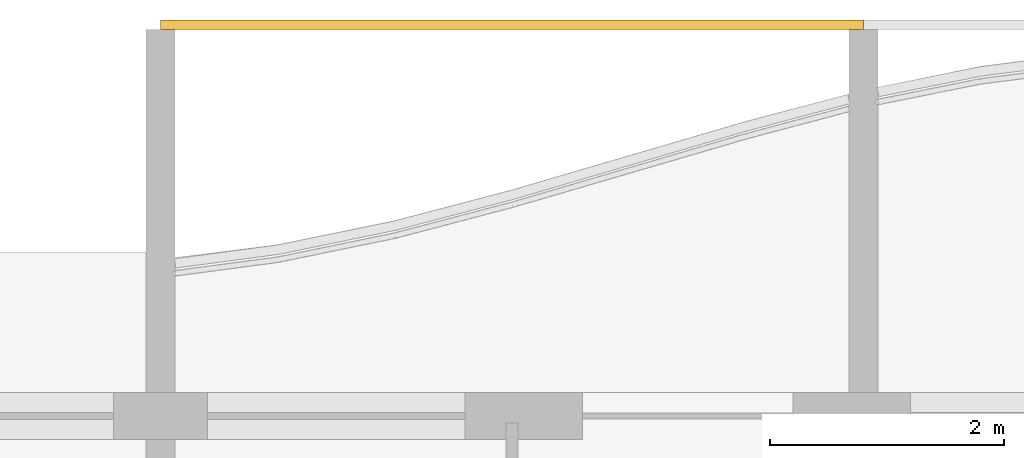
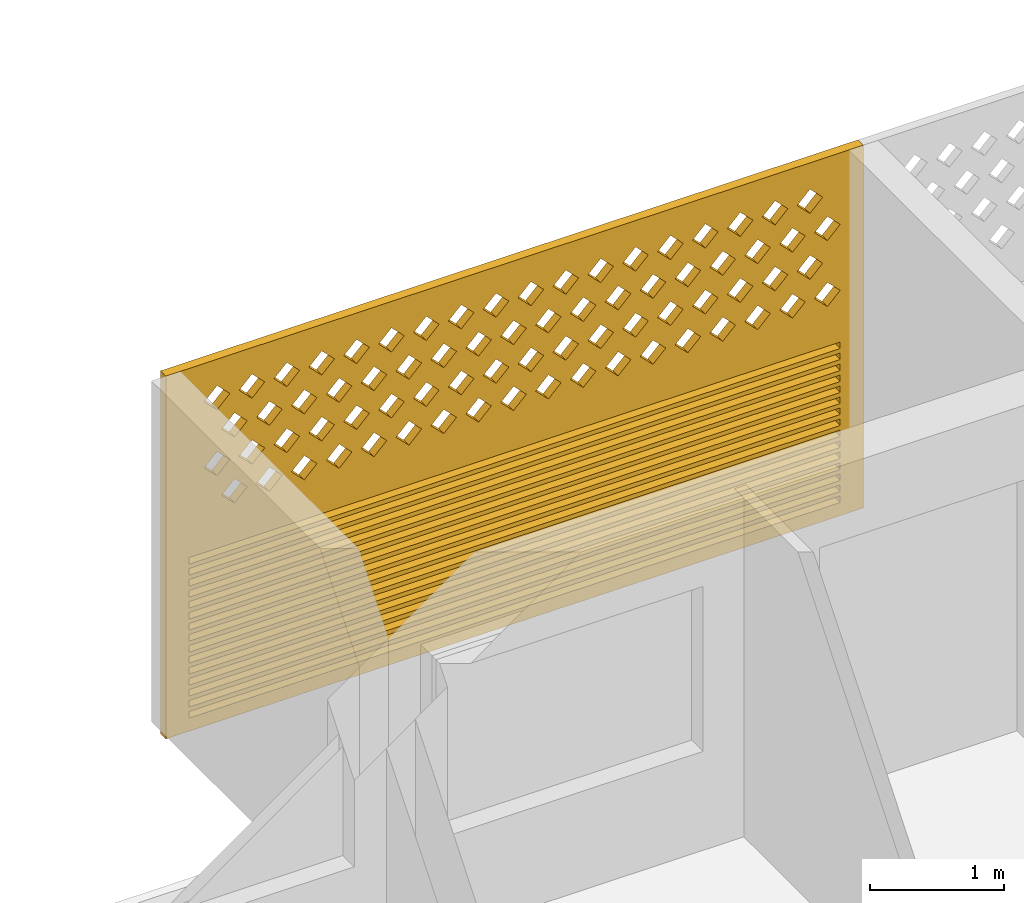
# One storey, part 20 of 26: 1 covering.
"""IFC4 building model written with IfcOpenShell, lengths in metres."""

from ifc_helpers import new_model, si_unit, direction, frame, origin, place, context, subcontext, project, spatial, polyline, outline, extrude, source, transform, mapped, material, material_profile, profile_set, type_object, element, save


model = new_model("IFC4")

# Units and contexts
model_context = context("Model", 3, precision=1e-05, world=origin(), true_north=direction((0.0, 1.0)))
body_context = subcontext(model_context, "Body", "Model", "MODEL_VIEW")
ifc_project = project(units=[si_unit("LENGTHUNIT", "METRE"), si_unit("AREAUNIT", "SQUARE_METRE"), si_unit("VOLUMEUNIT", "CUBIC_METRE"), si_unit("PLANEANGLEUNIT", "RADIAN"), si_unit("MASSUNIT", "GRAM", prefix="KILO")], contexts=[model_context])

# Site, building, storey
site_placement = place(None, origin())
site = spatial("IfcSite", under=ifc_project, at=site_placement, CompositionType="ELEMENT")
building_placement = place(site_placement, origin())
building = spatial("IfcBuilding", under=site, at=building_placement, Name="Poui Terraces", CompositionType="ELEMENT")
storey_placement = place(building_placement, frame((0.0, 0.0, 171.89990234375)))
storey = spatial("IfcBuildingStorey", under=building, at=storey_placement, Name="L47", CompositionType="ELEMENT", Elevation=171.89990234375)

# Covering
ifc_material = material(Name="Terracotta screen", Category="masonry")
ifc_material_profile = material_profile(ifc_material, outline(polyline([(-3.0, -1.64990234375), (3.0, -1.64990234375), (3.0, 1.64990234375), (-3.0, 1.64990234375), (-3.0, -1.64990234375)]), holes=[polyline([(-2.800048828125, 0.39990234375), (-2.68994140625, 0.2900390625), (-2.580078125, 0.39990234375), (-2.68994140625, 0.510009765625), (-2.800048828125, 0.39990234375)]), polyline([(-2.5, 0.39990234375), (-2.389892578125, 0.2900390625), (-2.280029296875, 0.39990234375), (-2.389892578125, 0.510009765625), (-2.5, 0.39990234375)]), polyline([(-2.199951171875, 0.39990234375), (-2.090087890625, 0.2900390625), (-1.97998046875, 0.39990234375), (-2.090087890625, 0.510009765625), (-2.199951171875, 0.39990234375)]), polyline([(-1.89990234375, 0.39990234375), (-1.7900390625, 0.2900390625), (-1.679931640625, 0.39990234375), (-1.7900390625, 0.510009765625), (-1.89990234375, 0.39990234375)]), polyline([(-1.60009765625, 0.39990234375), (-1.489990234375, 0.2900390625), (-1.3798828125, 0.39990234375), (-1.489990234375, 0.510009765625), (-1.60009765625, 0.39990234375)]), polyline([(-1.300048828125, 0.39990234375), (-1.18994140625, 0.2900390625), (-1.080078125, 0.39990234375), (-1.18994140625, 0.510009765625), (-1.300048828125, 0.39990234375)]), polyline([(-1.0, 0.39990234375), (-0.889892578125, 0.2900390625), (-0.780029296875, 0.39990234375), (-0.889892578125, 0.510009765625), (-1.0, 0.39990234375)]), polyline([(-0.699951171875, 0.39990234375), (-0.590087890625, 0.2900390625), (-0.47998046875, 0.39990234375), (-0.590087890625, 0.510009765625), (-0.699951171875, 0.39990234375)]), polyline([(-0.39990234375, 0.39990234375), (-0.2900390625, 0.2900390625), (-0.179931640625, 0.39990234375), (-0.2900390625, 0.510009765625), (-0.39990234375, 0.39990234375)]), polyline([(-0.10009765625, 0.39990234375), (0.010009765625, 0.2900390625), (0.1201171875, 0.39990234375), (0.010009765625, 0.510009765625), (-0.10009765625, 0.39990234375)]), polyline([(0.199951171875, 0.39990234375), (0.31005859375, 0.2900390625), (0.419921875, 0.39990234375), (0.31005859375, 0.510009765625), (0.199951171875, 0.39990234375)]), polyline([(0.5, 0.39990234375), (0.610107421875, 0.2900390625), (0.719970703125, 0.39990234375), (0.610107421875, 0.510009765625), (0.5, 0.39990234375)]), polyline([(0.800048828125, 0.39990234375), (0.909912109375, 0.2900390625), (1.02001953125, 0.39990234375), (0.909912109375, 0.510009765625), (0.800048828125, 0.39990234375)]), polyline([(1.10009765625, 0.39990234375), (1.2099609375, 0.2900390625), (1.320068359375, 0.39990234375), (1.2099609375, 0.510009765625), (1.10009765625, 0.39990234375)]), polyline([(1.39990234375, 0.39990234375), (1.510009765625, 0.2900390625), (1.6201171875, 0.39990234375), (1.510009765625, 0.510009765625), (1.39990234375, 0.39990234375)]), polyline([(1.699951171875, 0.39990234375), (1.81005859375, 0.2900390625), (1.919921875, 0.39990234375), (1.81005859375, 0.510009765625), (1.699951171875, 0.39990234375)]), polyline([(2.0, 0.39990234375), (2.110107421875, 0.2900390625), (2.219970703125, 0.39990234375), (2.110107421875, 0.510009765625), (2.0, 0.39990234375)]), polyline([(2.300048828125, 0.39990234375), (2.409912109375, 0.2900390625), (2.52001953125, 0.39990234375), (2.409912109375, 0.510009765625), (2.300048828125, 0.39990234375)]), polyline([(-2.64990234375, 0.699951171875), (-2.5400390625, 0.590087890625), (-2.429931640625, 0.699951171875), (-2.5400390625, 0.81005859375), (-2.64990234375, 0.699951171875)]), polyline([(-2.35009765625, 0.699951171875), (-2.239990234375, 0.590087890625), (-2.1298828125, 0.699951171875), (-2.239990234375, 0.81005859375), (-2.35009765625, 0.699951171875)]), polyline([(-2.050048828125, 0.699951171875), (-1.93994140625, 0.590087890625), (-1.830078125, 0.699951171875), (-1.93994140625, 0.81005859375), (-2.050048828125, 0.699951171875)]), polyline([(-1.75, 0.699951171875), (-1.639892578125, 0.590087890625), (-1.530029296875, 0.699951171875), (-1.639892578125, 0.81005859375), (-1.75, 0.699951171875)]), polyline([(-1.449951171875, 0.699951171875), (-1.340087890625, 0.590087890625), (-1.22998046875, 0.699951171875), (-1.340087890625, 0.81005859375), (-1.449951171875, 0.699951171875)]), polyline([(-1.14990234375, 0.699951171875), (-1.0400390625, 0.590087890625), (-0.929931640625, 0.699951171875), (-1.0400390625, 0.81005859375), (-1.14990234375, 0.699951171875)]), polyline([(-0.85009765625, 0.699951171875), (-0.739990234375, 0.590087890625), (-0.6298828125, 0.699951171875), (-0.739990234375, 0.81005859375), (-0.85009765625, 0.699951171875)]), polyline([(-0.550048828125, 0.699951171875), (-0.43994140625, 0.590087890625), (-0.330078125, 0.699951171875), (-0.43994140625, 0.81005859375), (-0.550048828125, 0.699951171875)]), polyline([(-0.25, 0.699951171875), (-0.139892578125, 0.590087890625), (-0.030029296875, 0.699951171875), (-0.139892578125, 0.81005859375), (-0.25, 0.699951171875)]), polyline([(0.050048828125, 0.699951171875), (0.159912109375, 0.590087890625), (0.27001953125, 0.699951171875), (0.159912109375, 0.81005859375), (0.050048828125, 0.699951171875)]), polyline([(0.35009765625, 0.699951171875), (0.4599609375, 0.590087890625), (0.570068359375, 0.699951171875), (0.4599609375, 0.81005859375), (0.35009765625, 0.699951171875)]), polyline([(0.64990234375, 0.699951171875), (0.760009765625, 0.590087890625), (0.8701171875, 0.699951171875), (0.760009765625, 0.81005859375), (0.64990234375, 0.699951171875)]), polyline([(0.949951171875, 0.699951171875), (1.06005859375, 0.590087890625), (1.169921875, 0.699951171875), (1.06005859375, 0.81005859375), (0.949951171875, 0.699951171875)]), polyline([(1.25, 0.699951171875), (1.360107421875, 0.590087890625), (1.469970703125, 0.699951171875), (1.360107421875, 0.81005859375), (1.25, 0.699951171875)]), polyline([(1.550048828125, 0.699951171875), (1.659912109375, 0.590087890625), (1.77001953125, 0.699951171875), (1.659912109375, 0.81005859375), (1.550048828125, 0.699951171875)]), polyline([(1.85009765625, 0.699951171875), (1.9599609375, 0.590087890625), (2.070068359375, 0.699951171875), (1.9599609375, 0.81005859375), (1.85009765625, 0.699951171875)]), polyline([(2.14990234375, 0.699951171875), (2.260009765625, 0.590087890625), (2.3701171875, 0.699951171875), (2.260009765625, 0.81005859375), (2.14990234375, 0.699951171875)]), polyline([(2.449951171875, 0.699951171875), (2.56005859375, 0.590087890625), (2.669921875, 0.699951171875), (2.56005859375, 0.81005859375), (2.449951171875, 0.699951171875)]), polyline([(-2.800048828125, 1.0), (-2.68994140625, 0.889892578125), (-2.580078125, 1.0), (-2.68994140625, 1.110107421875), (-2.800048828125, 1.0)]), polyline([(-2.5, 1.0), (-2.389892578125, 0.889892578125), (-2.280029296875, 1.0), (-2.389892578125, 1.110107421875), (-2.5, 1.0)]), polyline([(-2.199951171875, 1.0), (-2.090087890625, 0.889892578125), (-1.97998046875, 1.0), (-2.090087890625, 1.110107421875), (-2.199951171875, 1.0)]), polyline([(-1.89990234375, 1.0), (-1.7900390625, 0.889892578125), (-1.679931640625, 1.0), (-1.7900390625, 1.110107421875), (-1.89990234375, 1.0)]), polyline([(-1.60009765625, 1.0), (-1.489990234375, 0.889892578125), (-1.3798828125, 1.0), (-1.489990234375, 1.110107421875), (-1.60009765625, 1.0)]), polyline([(-1.300048828125, 1.0), (-1.18994140625, 0.889892578125), (-1.080078125, 1.0), (-1.18994140625, 1.110107421875), (-1.300048828125, 1.0)]), polyline([(-1.0, 1.0), (-0.889892578125, 0.889892578125), (-0.780029296875, 1.0), (-0.889892578125, 1.110107421875), (-1.0, 1.0)]), polyline([(-0.699951171875, 1.0), (-0.590087890625, 0.889892578125), (-0.47998046875, 1.0), (-0.590087890625, 1.110107421875), (-0.699951171875, 1.0)]), polyline([(-0.39990234375, 1.0), (-0.2900390625, 0.889892578125), (-0.179931640625, 1.0), (-0.2900390625, 1.110107421875), (-0.39990234375, 1.0)]), polyline([(-0.10009765625, 1.0), (0.010009765625, 0.889892578125), (0.1201171875, 1.0), (0.010009765625, 1.110107421875), (-0.10009765625, 1.0)]), polyline([(0.199951171875, 1.0), (0.31005859375, 0.889892578125), (0.419921875, 1.0), (0.31005859375, 1.110107421875), (0.199951171875, 1.0)]), polyline([(0.5, 1.0), (0.610107421875, 0.889892578125), (0.719970703125, 1.0), (0.610107421875, 1.110107421875), (0.5, 1.0)]), polyline([(0.800048828125, 1.0), (0.909912109375, 0.889892578125), (1.02001953125, 1.0), (0.909912109375, 1.110107421875), (0.800048828125, 1.0)]), polyline([(1.10009765625, 1.0), (1.2099609375, 0.889892578125), (1.320068359375, 1.0), (1.2099609375, 1.110107421875), (1.10009765625, 1.0)]), polyline([(1.39990234375, 1.0), (1.510009765625, 0.889892578125), (1.6201171875, 1.0), (1.510009765625, 1.110107421875), (1.39990234375, 1.0)]), polyline([(1.699951171875, 1.0), (1.81005859375, 0.889892578125), (1.919921875, 1.0), (1.81005859375, 1.110107421875), (1.699951171875, 1.0)]), polyline([(2.0, 1.0), (2.110107421875, 0.889892578125), (2.219970703125, 1.0), (2.110107421875, 1.110107421875), (2.0, 1.0)]), polyline([(2.300048828125, 1.0), (2.409912109375, 0.889892578125), (2.52001953125, 1.0), (2.409912109375, 1.110107421875), (2.300048828125, 1.0)]), polyline([(-2.64990234375, 1.300048828125), (-2.5400390625, 1.18994140625), (-2.429931640625, 1.300048828125), (-2.5400390625, 1.409912109375), (-2.64990234375, 1.300048828125)]), polyline([(-2.35009765625, 1.300048828125), (-2.239990234375, 1.18994140625), (-2.1298828125, 1.300048828125), (-2.239990234375, 1.409912109375), (-2.35009765625, 1.300048828125)]), polyline([(-2.050048828125, 1.300048828125), (-1.93994140625, 1.18994140625), (-1.830078125, 1.300048828125), (-1.93994140625, 1.409912109375), (-2.050048828125, 1.300048828125)]), polyline([(-1.75, 1.300048828125), (-1.639892578125, 1.18994140625), (-1.530029296875, 1.300048828125), (-1.639892578125, 1.409912109375), (-1.75, 1.300048828125)]), polyline([(-1.449951171875, 1.300048828125), (-1.340087890625, 1.18994140625), (-1.22998046875, 1.300048828125), (-1.340087890625, 1.409912109375), (-1.449951171875, 1.300048828125)]), polyline([(-1.14990234375, 1.300048828125), (-1.0400390625, 1.18994140625), (-0.929931640625, 1.300048828125), (-1.0400390625, 1.409912109375), (-1.14990234375, 1.300048828125)]), polyline([(-0.85009765625, 1.300048828125), (-0.739990234375, 1.18994140625), (-0.6298828125, 1.300048828125), (-0.739990234375, 1.409912109375), (-0.85009765625, 1.300048828125)]), polyline([(-0.550048828125, 1.300048828125), (-0.43994140625, 1.18994140625), (-0.330078125, 1.300048828125), (-0.43994140625, 1.409912109375), (-0.550048828125, 1.300048828125)]), polyline([(-0.25, 1.300048828125), (-0.139892578125, 1.18994140625), (-0.030029296875, 1.300048828125), (-0.139892578125, 1.409912109375), (-0.25, 1.300048828125)]), polyline([(0.050048828125, 1.300048828125), (0.159912109375, 1.18994140625), (0.27001953125, 1.300048828125), (0.159912109375, 1.409912109375), (0.050048828125, 1.300048828125)]), polyline([(0.35009765625, 1.300048828125), (0.4599609375, 1.18994140625), (0.570068359375, 1.300048828125), (0.4599609375, 1.409912109375), (0.35009765625, 1.300048828125)]), polyline([(0.64990234375, 1.300048828125), (0.760009765625, 1.18994140625), (0.8701171875, 1.300048828125), (0.760009765625, 1.409912109375), (0.64990234375, 1.300048828125)]), polyline([(0.949951171875, 1.300048828125), (1.06005859375, 1.18994140625), (1.169921875, 1.300048828125), (1.06005859375, 1.409912109375), (0.949951171875, 1.300048828125)]), polyline([(1.25, 1.300048828125), (1.360107421875, 1.18994140625), (1.469970703125, 1.300048828125), (1.360107421875, 1.409912109375), (1.25, 1.300048828125)]), polyline([(1.550048828125, 1.300048828125), (1.659912109375, 1.18994140625), (1.77001953125, 1.300048828125), (1.659912109375, 1.409912109375), (1.550048828125, 1.300048828125)]), polyline([(1.85009765625, 1.300048828125), (1.9599609375, 1.18994140625), (2.070068359375, 1.300048828125), (1.9599609375, 1.409912109375), (1.85009765625, 1.300048828125)]), polyline([(2.14990234375, 1.300048828125), (2.260009765625, 1.18994140625), (2.3701171875, 1.300048828125), (2.260009765625, 1.409912109375), (2.14990234375, 1.300048828125)]), polyline([(2.449951171875, 1.300048828125), (2.56005859375, 1.18994140625), (2.669921875, 1.300048828125), (2.56005859375, 1.409912109375), (2.449951171875, 1.300048828125)]), polyline([(-2.800048828125, -1.530029296875), (2.800048828125, -1.530029296875), (2.800048828125, -1.469970703125), (-2.800048828125, -1.469970703125), (-2.800048828125, -1.530029296875)]), polyline([(-2.800048828125, -1.429931640625), (2.800048828125, -1.429931640625), (2.800048828125, -1.3701171875), (-2.800048828125, -1.3701171875), (-2.800048828125, -1.429931640625)]), polyline([(-2.800048828125, -1.330078125), (2.800048828125, -1.330078125), (2.800048828125, -1.27001953125), (-2.800048828125, -1.27001953125), (-2.800048828125, -1.330078125)]), polyline([(-2.800048828125, -1.22998046875), (2.800048828125, -1.22998046875), (2.800048828125, -1.169921875), (-2.800048828125, -1.169921875), (-2.800048828125, -1.22998046875)]), polyline([(-2.800048828125, -1.1298828125), (2.800048828125, -1.1298828125), (2.800048828125, -1.070068359375), (-2.800048828125, -1.070068359375), (-2.800048828125, -1.1298828125)]), polyline([(-2.800048828125, -1.030029296875), (2.800048828125, -1.030029296875), (2.800048828125, -0.969970703125), (-2.800048828125, -0.969970703125), (-2.800048828125, -1.030029296875)]), polyline([(-2.800048828125, -0.929931640625), (2.800048828125, -0.929931640625), (2.800048828125, -0.8701171875), (-2.800048828125, -0.8701171875), (-2.800048828125, -0.929931640625)]), polyline([(-2.800048828125, -0.830078125), (2.800048828125, -0.830078125), (2.800048828125, -0.77001953125), (-2.800048828125, -0.77001953125), (-2.800048828125, -0.830078125)]), polyline([(-2.800048828125, -0.72998046875), (2.800048828125, -0.72998046875), (2.800048828125, -0.669921875), (-2.800048828125, -0.669921875), (-2.800048828125, -0.72998046875)]), polyline([(-2.800048828125, -0.6298828125), (2.800048828125, -0.6298828125), (2.800048828125, -0.570068359375), (-2.800048828125, -0.570068359375), (-2.800048828125, -0.6298828125)]), polyline([(-2.800048828125, -0.530029296875), (2.800048828125, -0.530029296875), (2.800048828125, -0.469970703125), (-2.800048828125, -0.469970703125), (-2.800048828125, -0.530029296875)]), polyline([(-2.800048828125, -0.429931640625), (2.800048828125, -0.429931640625), (2.800048828125, -0.3701171875), (-2.800048828125, -0.3701171875), (-2.800048828125, -0.429931640625)]), polyline([(-2.800048828125, -0.330078125), (2.800048828125, -0.330078125), (2.800048828125, -0.27001953125), (-2.800048828125, -0.27001953125), (-2.800048828125, -0.330078125)]), polyline([(-2.800048828125, -0.22998046875), (2.800048828125, -0.22998046875), (2.800048828125, -0.169921875), (-2.800048828125, -0.169921875), (-2.800048828125, -0.22998046875)]), polyline([(-2.800048828125, -0.1298828125), (2.800048828125, -0.1298828125), (2.800048828125, -0.070068359375), (-2.800048828125, -0.070068359375), (-2.800048828125, -0.1298828125)])]), Name="TERRACOTTA SCREEN AND JALOUSIE LOUVRE 6000X3300")
ifc_profile_set = profile_set([ifc_material_profile], Name="Terracotta screen")
covering_type = type_object("IfcCoveringType", Name="TERRACOTTA SCREEN AND JALOUSIE LOUVRE 6000X3300", PredefinedType="CLADDING", material=ifc_profile_set)
shared_shape = source(origin(), body_context, "Body", "SweptSolid", [
    extrude(outline(polyline([(-3.0, -1.64990234375), (3.0, -1.64990234375), (3.0, 1.64990234375), (-3.0, 1.64990234375), (-3.0, -1.64990234375)]), holes=[polyline([(-2.800048828125, 0.39990234375), (-2.68994140625, 0.2900390625), (-2.580078125, 0.39990234375), (-2.68994140625, 0.510009765625), (-2.800048828125, 0.39990234375)]), polyline([(-2.5, 0.39990234375), (-2.389892578125, 0.2900390625), (-2.280029296875, 0.39990234375), (-2.389892578125, 0.510009765625), (-2.5, 0.39990234375)]), polyline([(-2.199951171875, 0.39990234375), (-2.090087890625, 0.2900390625), (-1.97998046875, 0.39990234375), (-2.090087890625, 0.510009765625), (-2.199951171875, 0.39990234375)]), polyline([(-1.89990234375, 0.39990234375), (-1.7900390625, 0.2900390625), (-1.679931640625, 0.39990234375), (-1.7900390625, 0.510009765625), (-1.89990234375, 0.39990234375)]), polyline([(-1.60009765625, 0.39990234375), (-1.489990234375, 0.2900390625), (-1.3798828125, 0.39990234375), (-1.489990234375, 0.510009765625), (-1.60009765625, 0.39990234375)]), polyline([(-1.300048828125, 0.39990234375), (-1.18994140625, 0.2900390625), (-1.080078125, 0.39990234375), (-1.18994140625, 0.510009765625), (-1.300048828125, 0.39990234375)]), polyline([(-1.0, 0.39990234375), (-0.889892578125, 0.2900390625), (-0.780029296875, 0.39990234375), (-0.889892578125, 0.510009765625), (-1.0, 0.39990234375)]), polyline([(-0.699951171875, 0.39990234375), (-0.590087890625, 0.2900390625), (-0.47998046875, 0.39990234375), (-0.590087890625, 0.510009765625), (-0.699951171875, 0.39990234375)]), polyline([(-0.39990234375, 0.39990234375), (-0.2900390625, 0.2900390625), (-0.179931640625, 0.39990234375), (-0.2900390625, 0.510009765625), (-0.39990234375, 0.39990234375)]), polyline([(-0.10009765625, 0.39990234375), (0.010009765625, 0.2900390625), (0.1201171875, 0.39990234375), (0.010009765625, 0.510009765625), (-0.10009765625, 0.39990234375)]), polyline([(0.199951171875, 0.39990234375), (0.31005859375, 0.2900390625), (0.419921875, 0.39990234375), (0.31005859375, 0.510009765625), (0.199951171875, 0.39990234375)]), polyline([(0.5, 0.39990234375), (0.610107421875, 0.2900390625), (0.719970703125, 0.39990234375), (0.610107421875, 0.510009765625), (0.5, 0.39990234375)]), polyline([(0.800048828125, 0.39990234375), (0.909912109375, 0.2900390625), (1.02001953125, 0.39990234375), (0.909912109375, 0.510009765625), (0.800048828125, 0.39990234375)]), polyline([(1.10009765625, 0.39990234375), (1.2099609375, 0.2900390625), (1.320068359375, 0.39990234375), (1.2099609375, 0.510009765625), (1.10009765625, 0.39990234375)]), polyline([(1.39990234375, 0.39990234375), (1.510009765625, 0.2900390625), (1.6201171875, 0.39990234375), (1.510009765625, 0.510009765625), (1.39990234375, 0.39990234375)]), polyline([(1.699951171875, 0.39990234375), (1.81005859375, 0.2900390625), (1.919921875, 0.39990234375), (1.81005859375, 0.510009765625), (1.699951171875, 0.39990234375)]), polyline([(2.0, 0.39990234375), (2.110107421875, 0.2900390625), (2.219970703125, 0.39990234375), (2.110107421875, 0.510009765625), (2.0, 0.39990234375)]), polyline([(2.300048828125, 0.39990234375), (2.409912109375, 0.2900390625), (2.52001953125, 0.39990234375), (2.409912109375, 0.510009765625), (2.300048828125, 0.39990234375)]), polyline([(-2.64990234375, 0.699951171875), (-2.5400390625, 0.590087890625), (-2.429931640625, 0.699951171875), (-2.5400390625, 0.81005859375), (-2.64990234375, 0.699951171875)]), polyline([(-2.35009765625, 0.699951171875), (-2.239990234375, 0.590087890625), (-2.1298828125, 0.699951171875), (-2.239990234375, 0.81005859375), (-2.35009765625, 0.699951171875)]), polyline([(-2.050048828125, 0.699951171875), (-1.93994140625, 0.590087890625), (-1.830078125, 0.699951171875), (-1.93994140625, 0.81005859375), (-2.050048828125, 0.699951171875)]), polyline([(-1.75, 0.699951171875), (-1.639892578125, 0.590087890625), (-1.530029296875, 0.699951171875), (-1.639892578125, 0.81005859375), (-1.75, 0.699951171875)]), polyline([(-1.449951171875, 0.699951171875), (-1.340087890625, 0.590087890625), (-1.22998046875, 0.699951171875), (-1.340087890625, 0.81005859375), (-1.449951171875, 0.699951171875)]), polyline([(-1.14990234375, 0.699951171875), (-1.0400390625, 0.590087890625), (-0.929931640625, 0.699951171875), (-1.0400390625, 0.81005859375), (-1.14990234375, 0.699951171875)]), polyline([(-0.85009765625, 0.699951171875), (-0.739990234375, 0.590087890625), (-0.6298828125, 0.699951171875), (-0.739990234375, 0.81005859375), (-0.85009765625, 0.699951171875)]), polyline([(-0.550048828125, 0.699951171875), (-0.43994140625, 0.590087890625), (-0.330078125, 0.699951171875), (-0.43994140625, 0.81005859375), (-0.550048828125, 0.699951171875)]), polyline([(-0.25, 0.699951171875), (-0.139892578125, 0.590087890625), (-0.030029296875, 0.699951171875), (-0.139892578125, 0.81005859375), (-0.25, 0.699951171875)]), polyline([(0.050048828125, 0.699951171875), (0.159912109375, 0.590087890625), (0.27001953125, 0.699951171875), (0.159912109375, 0.81005859375), (0.050048828125, 0.699951171875)]), polyline([(0.35009765625, 0.699951171875), (0.4599609375, 0.590087890625), (0.570068359375, 0.699951171875), (0.4599609375, 0.81005859375), (0.35009765625, 0.699951171875)]), polyline([(0.64990234375, 0.699951171875), (0.760009765625, 0.590087890625), (0.8701171875, 0.699951171875), (0.760009765625, 0.81005859375), (0.64990234375, 0.699951171875)]), polyline([(0.949951171875, 0.699951171875), (1.06005859375, 0.590087890625), (1.169921875, 0.699951171875), (1.06005859375, 0.81005859375), (0.949951171875, 0.699951171875)]), polyline([(1.25, 0.699951171875), (1.360107421875, 0.590087890625), (1.469970703125, 0.699951171875), (1.360107421875, 0.81005859375), (1.25, 0.699951171875)]), polyline([(1.550048828125, 0.699951171875), (1.659912109375, 0.590087890625), (1.77001953125, 0.699951171875), (1.659912109375, 0.81005859375), (1.550048828125, 0.699951171875)]), polyline([(1.85009765625, 0.699951171875), (1.9599609375, 0.590087890625), (2.070068359375, 0.699951171875), (1.9599609375, 0.81005859375), (1.85009765625, 0.699951171875)]), polyline([(2.14990234375, 0.699951171875), (2.260009765625, 0.590087890625), (2.3701171875, 0.699951171875), (2.260009765625, 0.81005859375), (2.14990234375, 0.699951171875)]), polyline([(2.449951171875, 0.699951171875), (2.56005859375, 0.590087890625), (2.669921875, 0.699951171875), (2.56005859375, 0.81005859375), (2.449951171875, 0.699951171875)]), polyline([(-2.800048828125, 1.0), (-2.68994140625, 0.889892578125), (-2.580078125, 1.0), (-2.68994140625, 1.110107421875), (-2.800048828125, 1.0)]), polyline([(-2.5, 1.0), (-2.389892578125, 0.889892578125), (-2.280029296875, 1.0), (-2.389892578125, 1.110107421875), (-2.5, 1.0)]), polyline([(-2.199951171875, 1.0), (-2.090087890625, 0.889892578125), (-1.97998046875, 1.0), (-2.090087890625, 1.110107421875), (-2.199951171875, 1.0)]), polyline([(-1.89990234375, 1.0), (-1.7900390625, 0.889892578125), (-1.679931640625, 1.0), (-1.7900390625, 1.110107421875), (-1.89990234375, 1.0)]), polyline([(-1.60009765625, 1.0), (-1.489990234375, 0.889892578125), (-1.3798828125, 1.0), (-1.489990234375, 1.110107421875), (-1.60009765625, 1.0)]), polyline([(-1.300048828125, 1.0), (-1.18994140625, 0.889892578125), (-1.080078125, 1.0), (-1.18994140625, 1.110107421875), (-1.300048828125, 1.0)]), polyline([(-1.0, 1.0), (-0.889892578125, 0.889892578125), (-0.780029296875, 1.0), (-0.889892578125, 1.110107421875), (-1.0, 1.0)]), polyline([(-0.699951171875, 1.0), (-0.590087890625, 0.889892578125), (-0.47998046875, 1.0), (-0.590087890625, 1.110107421875), (-0.699951171875, 1.0)]), polyline([(-0.39990234375, 1.0), (-0.2900390625, 0.889892578125), (-0.179931640625, 1.0), (-0.2900390625, 1.110107421875), (-0.39990234375, 1.0)]), polyline([(-0.10009765625, 1.0), (0.010009765625, 0.889892578125), (0.1201171875, 1.0), (0.010009765625, 1.110107421875), (-0.10009765625, 1.0)]), polyline([(0.199951171875, 1.0), (0.31005859375, 0.889892578125), (0.419921875, 1.0), (0.31005859375, 1.110107421875), (0.199951171875, 1.0)]), polyline([(0.5, 1.0), (0.610107421875, 0.889892578125), (0.719970703125, 1.0), (0.610107421875, 1.110107421875), (0.5, 1.0)]), polyline([(0.800048828125, 1.0), (0.909912109375, 0.889892578125), (1.02001953125, 1.0), (0.909912109375, 1.110107421875), (0.800048828125, 1.0)]), polyline([(1.10009765625, 1.0), (1.2099609375, 0.889892578125), (1.320068359375, 1.0), (1.2099609375, 1.110107421875), (1.10009765625, 1.0)]), polyline([(1.39990234375, 1.0), (1.510009765625, 0.889892578125), (1.6201171875, 1.0), (1.510009765625, 1.110107421875), (1.39990234375, 1.0)]), polyline([(1.699951171875, 1.0), (1.81005859375, 0.889892578125), (1.919921875, 1.0), (1.81005859375, 1.110107421875), (1.699951171875, 1.0)]), polyline([(2.0, 1.0), (2.110107421875, 0.889892578125), (2.219970703125, 1.0), (2.110107421875, 1.110107421875), (2.0, 1.0)]), polyline([(2.300048828125, 1.0), (2.409912109375, 0.889892578125), (2.52001953125, 1.0), (2.409912109375, 1.110107421875), (2.300048828125, 1.0)]), polyline([(-2.64990234375, 1.300048828125), (-2.5400390625, 1.18994140625), (-2.429931640625, 1.300048828125), (-2.5400390625, 1.409912109375), (-2.64990234375, 1.300048828125)]), polyline([(-2.35009765625, 1.300048828125), (-2.239990234375, 1.18994140625), (-2.1298828125, 1.300048828125), (-2.239990234375, 1.409912109375), (-2.35009765625, 1.300048828125)]), polyline([(-2.050048828125, 1.300048828125), (-1.93994140625, 1.18994140625), (-1.830078125, 1.300048828125), (-1.93994140625, 1.409912109375), (-2.050048828125, 1.300048828125)]), polyline([(-1.75, 1.300048828125), (-1.639892578125, 1.18994140625), (-1.530029296875, 1.300048828125), (-1.639892578125, 1.409912109375), (-1.75, 1.300048828125)]), polyline([(-1.449951171875, 1.300048828125), (-1.340087890625, 1.18994140625), (-1.22998046875, 1.300048828125), (-1.340087890625, 1.409912109375), (-1.449951171875, 1.300048828125)]), polyline([(-1.14990234375, 1.300048828125), (-1.0400390625, 1.18994140625), (-0.929931640625, 1.300048828125), (-1.0400390625, 1.409912109375), (-1.14990234375, 1.300048828125)]), polyline([(-0.85009765625, 1.300048828125), (-0.739990234375, 1.18994140625), (-0.6298828125, 1.300048828125), (-0.739990234375, 1.409912109375), (-0.85009765625, 1.300048828125)]), polyline([(-0.550048828125, 1.300048828125), (-0.43994140625, 1.18994140625), (-0.330078125, 1.300048828125), (-0.43994140625, 1.409912109375), (-0.550048828125, 1.300048828125)]), polyline([(-0.25, 1.300048828125), (-0.139892578125, 1.18994140625), (-0.030029296875, 1.300048828125), (-0.139892578125, 1.409912109375), (-0.25, 1.300048828125)]), polyline([(0.050048828125, 1.300048828125), (0.159912109375, 1.18994140625), (0.27001953125, 1.300048828125), (0.159912109375, 1.409912109375), (0.050048828125, 1.300048828125)]), polyline([(0.35009765625, 1.300048828125), (0.4599609375, 1.18994140625), (0.570068359375, 1.300048828125), (0.4599609375, 1.409912109375), (0.35009765625, 1.300048828125)]), polyline([(0.64990234375, 1.300048828125), (0.760009765625, 1.18994140625), (0.8701171875, 1.300048828125), (0.760009765625, 1.409912109375), (0.64990234375, 1.300048828125)]), polyline([(0.949951171875, 1.300048828125), (1.06005859375, 1.18994140625), (1.169921875, 1.300048828125), (1.06005859375, 1.409912109375), (0.949951171875, 1.300048828125)]), polyline([(1.25, 1.300048828125), (1.360107421875, 1.18994140625), (1.469970703125, 1.300048828125), (1.360107421875, 1.409912109375), (1.25, 1.300048828125)]), polyline([(1.550048828125, 1.300048828125), (1.659912109375, 1.18994140625), (1.77001953125, 1.300048828125), (1.659912109375, 1.409912109375), (1.550048828125, 1.300048828125)]), polyline([(1.85009765625, 1.300048828125), (1.9599609375, 1.18994140625), (2.070068359375, 1.300048828125), (1.9599609375, 1.409912109375), (1.85009765625, 1.300048828125)]), polyline([(2.14990234375, 1.300048828125), (2.260009765625, 1.18994140625), (2.3701171875, 1.300048828125), (2.260009765625, 1.409912109375), (2.14990234375, 1.300048828125)]), polyline([(2.449951171875, 1.300048828125), (2.56005859375, 1.18994140625), (2.669921875, 1.300048828125), (2.56005859375, 1.409912109375), (2.449951171875, 1.300048828125)]), polyline([(-2.800048828125, -1.530029296875), (2.800048828125, -1.530029296875), (2.800048828125, -1.469970703125), (-2.800048828125, -1.469970703125), (-2.800048828125, -1.530029296875)]), polyline([(-2.800048828125, -1.429931640625), (2.800048828125, -1.429931640625), (2.800048828125, -1.3701171875), (-2.800048828125, -1.3701171875), (-2.800048828125, -1.429931640625)]), polyline([(-2.800048828125, -1.330078125), (2.800048828125, -1.330078125), (2.800048828125, -1.27001953125), (-2.800048828125, -1.27001953125), (-2.800048828125, -1.330078125)]), polyline([(-2.800048828125, -1.22998046875), (2.800048828125, -1.22998046875), (2.800048828125, -1.169921875), (-2.800048828125, -1.169921875), (-2.800048828125, -1.22998046875)]), polyline([(-2.800048828125, -1.1298828125), (2.800048828125, -1.1298828125), (2.800048828125, -1.070068359375), (-2.800048828125, -1.070068359375), (-2.800048828125, -1.1298828125)]), polyline([(-2.800048828125, -1.030029296875), (2.800048828125, -1.030029296875), (2.800048828125, -0.969970703125), (-2.800048828125, -0.969970703125), (-2.800048828125, -1.030029296875)]), polyline([(-2.800048828125, -0.929931640625), (2.800048828125, -0.929931640625), (2.800048828125, -0.8701171875), (-2.800048828125, -0.8701171875), (-2.800048828125, -0.929931640625)]), polyline([(-2.800048828125, -0.830078125), (2.800048828125, -0.830078125), (2.800048828125, -0.77001953125), (-2.800048828125, -0.77001953125), (-2.800048828125, -0.830078125)]), polyline([(-2.800048828125, -0.72998046875), (2.800048828125, -0.72998046875), (2.800048828125, -0.669921875), (-2.800048828125, -0.669921875), (-2.800048828125, -0.72998046875)]), polyline([(-2.800048828125, -0.6298828125), (2.800048828125, -0.6298828125), (2.800048828125, -0.570068359375), (-2.800048828125, -0.570068359375), (-2.800048828125, -0.6298828125)]), polyline([(-2.800048828125, -0.530029296875), (2.800048828125, -0.530029296875), (2.800048828125, -0.469970703125), (-2.800048828125, -0.469970703125), (-2.800048828125, -0.530029296875)]), polyline([(-2.800048828125, -0.429931640625), (2.800048828125, -0.429931640625), (2.800048828125, -0.3701171875), (-2.800048828125, -0.3701171875), (-2.800048828125, -0.429931640625)]), polyline([(-2.800048828125, -0.330078125), (2.800048828125, -0.330078125), (2.800048828125, -0.27001953125), (-2.800048828125, -0.27001953125), (-2.800048828125, -0.330078125)]), polyline([(-2.800048828125, -0.22998046875), (2.800048828125, -0.22998046875), (2.800048828125, -0.169921875), (-2.800048828125, -0.169921875), (-2.800048828125, -0.22998046875)]), polyline([(-2.800048828125, -0.1298828125), (2.800048828125, -0.1298828125), (2.800048828125, -0.070068359375), (-2.800048828125, -0.070068359375), (-2.800048828125, -0.1298828125)])]), origin(), (0.0, 0.0, 1.0), 0.080078125),
])
covering_placement = place(storey_placement, frame((51.0, 44.5, 1.4501953125), z_axis=(0.0, 1.0, 0.0), x_axis=(-1.0, 0.0, 0.0)))
element("IfcCovering", 1, at=covering_placement, inside=storey, type_object=covering_type, Name="SOLAR SCREEN AND JALOUSIE LOUVRE", PredefinedType="CLADDING", context=body_context, shape_type="MappedRepresentation", body=[
    mapped(shared_shape, transform((0.0, 0.0, 0.0))),
])

save(model, "model.ifc")
